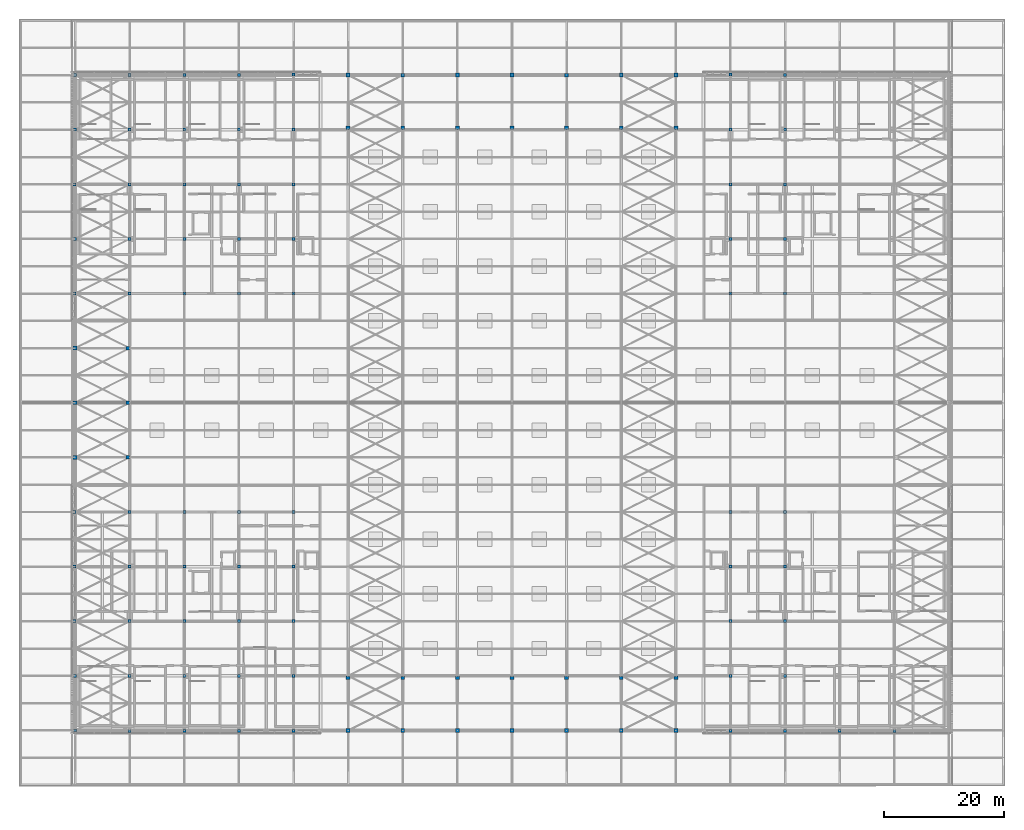
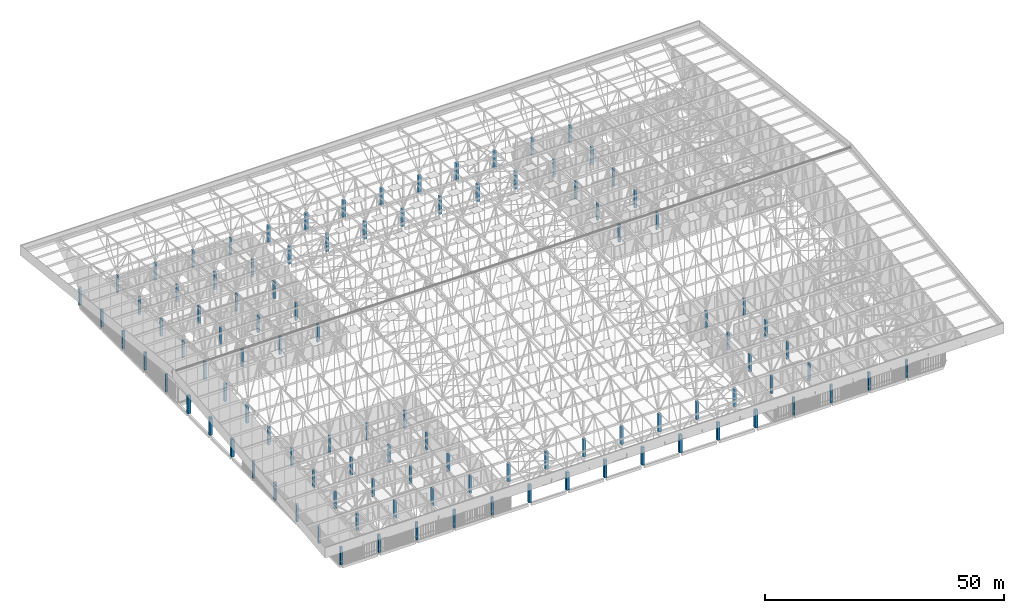
# One storey, part 1 of 500: 106 columns.
"""IFC4 building model written with IfcOpenShell, lengths in metres."""

from ifc_helpers import new_model, si_unit, direction, frame, origin, origin_2d, place, context, subcontext, project, spatial, rectangle, extrude, material, material_profile, profile_set, type_object, element, save


model = new_model("IFC4")

# Units and contexts
model_context = context("Model", 3, precision=1e-05, world=origin(), true_north=direction((0.0, 1.0)))
body_context = subcontext(model_context, "Body", "Model", "MODEL_VIEW")
ifc_project = project(units=[si_unit("LENGTHUNIT", "METRE"), si_unit("AREAUNIT", "SQUARE_METRE"), si_unit("VOLUMEUNIT", "CUBIC_METRE"), si_unit("PLANEANGLEUNIT", "RADIAN"), si_unit("MASSUNIT", "GRAM", prefix="KILO")], contexts=[model_context])

# Site, building, storey
site_placement = place(None, origin())
site = spatial("IfcSite", under=ifc_project, at=site_placement, CompositionType="ELEMENT")
building_placement = place(site_placement, origin())
building = spatial("IfcBuilding", under=site, at=building_placement, Name="Shirokan Park Arena", CompositionType="ELEMENT")
storey_placement = place(building_placement, frame((0.0, 0.0, 29.1201171875)))
storey = spatial("IfcBuildingStorey", under=building, at=storey_placement, Name="L06", CompositionType="ELEMENT", Elevation=29.1201171875)

# Columns
ifc_material = material(Name="Concrete C35", Category="concrete")
ifc_material_profile_1 = material_profile(ifc_material, rectangle(XDim=0.5, YDim=0.5, at=origin_2d()), Name="500x500")
ifc_profile_set_1 = profile_set([ifc_material_profile_1], Name="Concrete C35")
column_type_1 = type_object("IfcColumnType", Name="RC column 500x500", PredefinedType="COLUMN", material=ifc_profile_set_1)
for number, where, z_axis, x_axis, name in (
    (1, (0.0, 0.0, 0.0), (0.0, 0.0, 1.0), (1.0, 0.0, 0.0), "Column 1A L06"),
    (2, (-0.050048828125, 9.10009765625, 0.0), (0.0, 0.0, 1.0), (1.0, 0.0, 0.0), "Column 1B L06"),
    (3, (-0.125, 18.199951171875, 0.0), (0.0, 0.0, 1.0), (1.0, 0.0, 0.0), "Column 1C L06"),
    (4, (-0.125, 27.300048828125, 0.0), (0.0, 0.0, 1.0), (1.0, 0.0, 0.0), "Column 1D L06"),
    (5, (-0.10009765625, 36.39990234375, 0.0), (0.0, 0.0, 1.0), (1.0, 0.0, 0.0), "Column 1E L06"),
    (6, (-0.10009765625, 72.800048828125, 0.0), (0.0, 0.0, 1.0), (1.0, 0.0, 0.0), "Column 1J L06"),
    (7, (0.0, 81.89990234375, 0.0), (0.0, 0.0, 1.0), (1.0, 0.0, 0.0), "Column 1K L06"),
    (8, (-0.074951171875, 91.0, 0.0), (0.0, 0.0, 1.0), (1.0, 0.0, 0.0), "Column 1L L06"),
    (9, (-0.02490234375, 100.10009765625, 0.0), (0.0, 0.0, 1.0), (1.0, 0.0, 0.0), "Column 1M L06"),
    (10, (0.0, 109.199951171875, 0.0), (0.0, 0.0, 1.0), (1.0, 0.0, 0.0), "Column 1N L06"),
    (11, (9.10009765625, -0.050048828125, 0.0), (0.0, 0.0, 1.0), (1.0, 0.0, 0.0), "Column 2A L06"),
    (12, (9.10009765625, 9.10009765625, 0.0), (0.0, 0.0, 1.0), (1.0, 0.0, 0.0), "Column 2B L06"),
    (13, (9.10009765625, 18.199951171875, 0.0), (0.0, 0.0, 1.0), (1.0, 0.0, 0.0), "Column 2C L06"),
    (14, (9.10009765625, 27.300048828125, 0.0), (0.0, 0.0, 1.0), (1.0, 0.0, 0.0), "Column 2D L06"),
    (15, (9.10009765625, 36.39990234375, 0.0), (0.0, 0.0, 1.0), (1.0, 0.0, 0.0), "Column 2E L06"),
    (16, (9.10009765625, 72.800048828125, 0.0), (0.0, 0.0, 1.0), (1.0, 0.0, 0.0), "Column 2J L06"),
    (17, (9.10009765625, 81.89990234375, 0.0), (0.0, 0.0, 1.0), (1.0, 0.0, 0.0), "Column 2K L06"),
    (18, (9.10009765625, 91.0, 0.0), (0.0, 0.0, 1.0), (1.0, 0.0, 0.0), "Column 2L L06"),
    (19, (9.10009765625, 100.10009765625, 0.0), (0.0, 0.0, 1.0), (1.0, 0.0, 0.0), "Column 2M L06"),
    (20, (9.10009765625, 109.22509765625, 0.0), (0.0, 0.0, 1.0), (1.0, 0.0, 0.0), "Column 2N L06"),
    (21, (18.199951171875, -0.050048828125, 0.0), (0.0, 0.0, 1.0), (1.0, 0.0, 0.0), "Column 3A L06"),
    (22, (18.199951171875, 9.10009765625, 0.0), (0.0, 0.0, 1.0), (1.0, 0.0, 0.0), "Column 3B L06"),
    (23, (18.199951171875, 18.199951171875, 0.0), (0.0, 0.0, 1.0), (1.0, 0.0, 0.0), "Column 3C L06"),
    (24, (18.199951171875, 27.300048828125, 0.0), (0.0, 0.0, 1.0), (1.0, 0.0, 0.0), "Column 3D L06"),
    (25, (18.199951171875, 36.39990234375, 0.0), (0.0, 0.0, 1.0), (1.0, 0.0, 0.0), "Column 3E L06"),
    (26, (18.199951171875, 72.800048828125, 0.0), (0.0, 0.0, 1.0), (1.0, 0.0, 0.0), "Column 3J L06"),
    (27, (18.199951171875, 81.89990234375, 0.0), (0.0, 0.0, 1.0), (1.0, 0.0, 0.0), "Column 3K L06"),
    (28, (18.199951171875, 91.0, 0.0), (0.0, 0.0, 1.0), (1.0, 0.0, 0.0), "Column 3L L06"),
    (29, (18.199951171875, 100.10009765625, 0.0), (0.0, 0.0, 1.0), (1.0, 0.0, 0.0), "Column 3M L06"),
    (30, (18.199951171875, 109.22509765625, 0.0), (0.0, 0.0, 1.0), (1.0, 0.0, 0.0), "Column 3N L06"),
    (31, (27.300048828125, -0.10009765625, 0.0), (0.0, 0.0, 1.0), (1.0, 0.0, 0.0), "Column 4A L06"),
    (32, (27.300048828125, 9.10009765625, 0.0), (0.0, 0.0, 1.0), (1.0, 0.0, 0.0), "Column 4B L06"),
    (33, (27.300048828125, 18.199951171875, 0.0), (0.0, 0.0, 1.0), (1.0, 0.0, 0.0), "Column 4C L06"),
    (34, (27.300048828125, 27.300048828125, 0.0), (0.0, 0.0, 1.0), (1.0, 0.0, 0.0), "Column 4D L06"),
    (35, (27.300048828125, 36.39990234375, 0.0), (0.0, 0.0, 1.0), (1.0, 0.0, 0.0), "Column 4E L06"),
    (36, (27.300048828125, 72.800048828125, 0.0), (0.0, 0.0, 1.0), (1.0, 0.0, 0.0), "Column 4J L06"),
    (37, (27.300048828125, 81.89990234375, 0.0), (0.0, 0.0, 1.0), (1.0, 0.0, 0.0), "Column 4K L06"),
    (38, (27.300048828125, 91.0, 0.0), (0.0, 0.0, 1.0), (1.0, 0.0, 0.0), "Column 4L L06"),
    (39, (27.300048828125, 100.10009765625, 0.0), (0.0, 0.0, 1.0), (1.0, 0.0, 0.0), "Column 4M L06"),
    (40, (27.300048828125, 109.22509765625, 0.0), (0.0, 0.0, 1.0), (1.0, 0.0, 0.0), "Column 4N L06"),
    (41, (36.39990234375, -0.125, 0.0), (0.0, 0.0, 1.0), (1.0, 0.0, 0.0), "Column 5A L06"),
    (42, (36.39990234375, 9.10009765625, 0.0), (0.0, 0.0, 1.0), (1.0, 0.0, 0.0), "Column 5B L06"),
    (43, (36.39990234375, 18.199951171875, 0.0), (0.0, 0.0, 1.0), (1.0, 0.0, 0.0), "Column 5C L06"),
    (44, (36.39990234375, 27.300048828125, 0.0), (0.0, 0.0, 1.0), (1.0, 0.0, 0.0), "Column 5D L06"),
    (45, (36.39990234375, 36.39990234375, 0.0), (0.0, 0.0, 1.0), (1.0, 0.0, 0.0), "Column 5E L06"),
    (46, (36.39990234375, 72.800048828125, 0.0), (0.0, 0.0, 1.0), (1.0, 0.0, 0.0), "Column 5J L06"),
    (47, (36.39990234375, 81.89990234375, 0.0), (0.0, 0.0, 1.0), (1.0, 0.0, 0.0), "Column 5K L06"),
    (48, (36.39990234375, 91.0, 0.0), (0.0, 0.0, 1.0), (1.0, 0.0, 0.0), "Column 5L L06"),
    (49, (36.39990234375, 100.10009765625, 0.0), (0.0, 0.0, 1.0), (1.0, 0.0, 0.0), "Column 5M L06"),
    (50, (36.39990234375, 109.300048828125, 0.0), (0.0, 0.0, 1.0), (1.0, 0.0, 0.0), "Column 5N L06"),
    (51, (109.199951171875, -0.10009765625, 0.0), (0.0, 0.0, 1.0), (1.0, 0.0, 0.0), "Column 13A L06"),
    (52, (109.199951171875, 9.10009765625, 0.0), (0.0, 0.0, 1.0), (1.0, 0.0, 0.0), "Column 13B L06"),
    (53, (109.199951171875, 18.199951171875, 0.0), (0.0, 0.0, 1.0), (1.0, 0.0, 0.0), "Column 13C L06"),
    (54, (109.199951171875, 27.300048828125, 0.0), (0.0, 0.0, 1.0), (1.0, 0.0, 0.0), "Column 13D L06"),
    (55, (109.199951171875, 36.39990234375, 0.0), (0.0, 0.0, 1.0), (1.0, 0.0, 0.0), "Column 13E L06"),
    (56, (109.199951171875, 72.800048828125, 0.0), (0.0, 0.0, 1.0), (1.0, 0.0, 0.0), "Column 13J L06"),
    (57, (109.199951171875, 81.89990234375, 0.0), (0.0, 0.0, 1.0), (1.0, 0.0, 0.0), "Column 13K L06"),
    (58, (109.199951171875, 91.0, 0.0), (0.0, 0.0, 1.0), (1.0, 0.0, 0.0), "Column 13L L06"),
    (59, (109.199951171875, 100.10009765625, 0.0), (0.0, 0.0, 1.0), (1.0, 0.0, 0.0), "Column 13M L06"),
    (60, (109.199951171875, 109.27490234375, 0.0), (0.0, 0.0, 1.0), (1.0, 0.0, 0.0), "Column 13N L06"),
    (61, (118.300048828125, -0.050048828125, 0.0), (0.0, 0.0, 1.0), (1.0, 0.0, 0.0), "Column 14A L06"),
    (62, (118.300048828125, 9.10009765625, 0.0), (0.0, 0.0, 1.0), (1.0, 0.0, 0.0), "Column 14B L06"),
    (63, (118.300048828125, 18.199951171875, 0.0), (0.0, 0.0, 1.0), (1.0, 0.0, 0.0), "Column 14C L06"),
    (64, (118.300048828125, 27.300048828125, 0.0), (0.0, 0.0, 1.0), (1.0, 0.0, 0.0), "Column 14D L06"),
    (65, (118.300048828125, 36.39990234375, 0.0), (0.0, 0.0, 1.0), (1.0, 0.0, 0.0), "Column 14E L06"),
    (66, (118.300048828125, 72.800048828125, 0.0), (0.0, 0.0, 1.0), (1.0, 0.0, 0.0), "Column 14J L06"),
    (67, (118.300048828125, 81.89990234375, 0.0), (0.0, 0.0, 1.0), (1.0, 0.0, 0.0), "Column 14K L06"),
    (68, (118.300048828125, 91.0, 0.0), (0.0, 0.0, 1.0), (1.0, 0.0, 0.0), "Column 14L L06"),
    (69, (118.300048828125, 100.10009765625, 0.0), (0.0, 0.0, 1.0), (1.0, 0.0, 0.0), "Column 14M L06"),
    (70, (118.300048828125, 109.22509765625, 0.0), (0.0, 0.0, 1.0), (1.0, 0.0, 0.0), "Column 14N L06"),
    (71, (127.39990234375, -0.050048828125, 0.0), (0.0, 0.0, 1.0), (1.0, 0.0, 0.0), "Column 15A L06"),
    (72, (136.5, -0.050048828125, 0.0), (0.0, 0.0, 1.0), (1.0, 0.0, 0.0), "Column 16A L06"),
):
    element("IfcColumn", number, at=place(storey_placement, frame(where, z_axis=z_axis, x_axis=x_axis)), inside=storey, type_object=column_type_1, Name=name, PredefinedType="COLUMN", context=body_context, shape_type="SweptSolid", body=[
        extrude(rectangle(XDim=0.5, YDim=0.5, at=origin_2d()), origin(), (0.0, 0.0, 1.0), 4.5498046875),
    ])
ifc_material_profile_2 = material_profile(ifc_material, rectangle(XDim=0.60009765625, YDim=0.60009765625, at=origin_2d()), Name="600x600")
ifc_profile_set_2 = profile_set([ifc_material_profile_2], Name="Concrete C35")
column_type_2 = type_object("IfcColumnType", Name="RC column 600x600", PredefinedType="COLUMN", material=ifc_profile_set_2)
for number, where, z_axis, x_axis, name in (
    (73, (8.800048828125, 45.5, 0.0), (0.0, 0.0, 1.0), (1.0, 0.0, 0.0), "Column 2F L06"),
    (74, (8.800048828125, 54.60009765625, 0.0), (0.0, 0.0, 1.0), (1.0, 0.0, 0.0), "Column 2G L06"),
    (75, (8.800048828125, 63.699951171875, 0.0), (0.0, 0.0, 1.0), (1.0, 0.0, 0.0), "Column 2H L06"),
):
    element("IfcColumn", number, at=place(storey_placement, frame(where, z_axis=z_axis, x_axis=x_axis)), inside=storey, type_object=column_type_2, Name=name, PredefinedType="COLUMN", context=body_context, shape_type="SweptSolid", body=[
        extrude(rectangle(XDim=0.60009765625, YDim=0.60009765625, at=origin_2d()), origin(), (0.0, 0.0, 1.0), 4.5498046875),
    ])
ifc_material_profile_3 = material_profile(ifc_material, rectangle(XDim=0.64990234375, YDim=0.64990234375, at=origin_2d()), Name="650x650")
ifc_profile_set_3 = profile_set([ifc_material_profile_3], Name="Concrete C35")
column_type_3 = type_object("IfcColumnType", Name="RC column 650x650", PredefinedType="COLUMN", material=ifc_profile_set_3)
for number, where, z_axis, x_axis, name in (
    (76, (0.0, 45.5, 0.0), (0.0, 0.0, 1.0), (1.0, 0.0, 0.0), "Column 1F L06"),
    (77, (0.0, 54.60009765625, 0.0), (0.0, 0.0, 1.0), (1.0, 0.0, 0.0), "Column 1G L06"),
    (78, (0.0, 63.699951171875, 0.0), (0.0, 0.0, 1.0), (1.0, 0.0, 0.0), "Column 1H L06"),
    (79, (45.5, -0.02490234375, 0.0), (0.0, 0.0, 1.0), (1.0, 0.0, 0.0), "Column 6A L06"),
    (80, (45.5, 8.77490234375, 0.0), (0.0, 0.0, 1.0), (1.0, 0.0, 0.0), "Column 6B L06"),
    (81, (45.5, 100.425048828125, 0.0), (0.0, 0.0, 1.0), (1.0, 0.0, 0.0), "Column 6M L06"),
    (82, (45.5, 109.199951171875, 0.0), (0.0, 0.0, 1.0), (1.0, 0.0, 0.0), "Column 6N L06"),
    (83, (54.60009765625, 0.0, 0.0), (0.0, 0.0, 1.0), (1.0, 0.0, 0.0), "Column 7A L06"),
    (84, (54.60009765625, 8.77490234375, 0.0), (0.0, 0.0, 1.0), (1.0, 0.0, 0.0), "Column 7B L06"),
    (85, (54.60009765625, 100.425048828125, 0.0), (0.0, 0.0, 1.0), (1.0, 0.0, 0.0), "Column 7M L06"),
    (86, (54.60009765625, 109.175048828125, 0.0), (0.0, 0.0, 1.0), (1.0, 0.0, 0.0), "Column 7N L06"),
    (87, (63.699951171875, -0.02490234375, 0.0), (0.0, 0.0, 1.0), (1.0, 0.0, 0.0), "Column 8A L06"),
    (88, (63.699951171875, 8.77490234375, 0.0), (0.0, 0.0, 1.0), (1.0, 0.0, 0.0), "Column 8B L06"),
    (89, (63.699951171875, 100.425048828125, 0.0), (0.0, 0.0, 1.0), (1.0, 0.0, 0.0), "Column 8M L06"),
    (90, (63.699951171875, 109.199951171875, 0.0), (0.0, 0.0, 1.0), (1.0, 0.0, 0.0), "Column 8N L06"),
    (91, (72.800048828125, -0.02490234375, 0.0), (0.0, 0.0, 1.0), (1.0, 0.0, 0.0), "Column 9A L06"),
    (92, (72.800048828125, 8.77490234375, 0.0), (0.0, 0.0, 1.0), (1.0, 0.0, 0.0), "Column 9B L06"),
    (93, (72.800048828125, 100.425048828125, 0.0), (0.0, 0.0, 1.0), (1.0, 0.0, 0.0), "Column 9M L06"),
    (94, (72.800048828125, 109.199951171875, 0.0), (0.0, 0.0, 1.0), (1.0, 0.0, 0.0), "Column 9N L06"),
    (95, (81.89990234375, 0.0, 0.0), (0.0, 0.0, 1.0), (1.0, 0.0, 0.0), "Column 10A L06"),
    (96, (81.89990234375, 8.77490234375, 0.0), (0.0, 0.0, 1.0), (1.0, 0.0, 0.0), "Column 10B L06"),
    (97, (81.89990234375, 100.425048828125, 0.0), (0.0, 0.0, 1.0), (1.0, 0.0, 0.0), "Column 10M L06"),
    (98, (81.89990234375, 109.175048828125, 0.0), (0.0, 0.0, 1.0), (1.0, 0.0, 0.0), "Column 10N L06"),
    (99, (91.0, -0.02490234375, 0.0), (0.0, 0.0, 1.0), (1.0, 0.0, 0.0), "Column 11A L06"),
    (100, (91.0, 8.77490234375, 0.0), (0.0, 0.0, 1.0), (1.0, 0.0, 0.0), "Column 11B L06"),
    (101, (91.0, 100.425048828125, 0.0), (0.0, 0.0, 1.0), (1.0, 0.0, 0.0), "Column 11M L06"),
    (102, (91.0, 109.199951171875, 0.0), (0.0, 0.0, 1.0), (1.0, 0.0, 0.0), "Column 11N L06"),
    (103, (100.10009765625, -0.02490234375, 0.0), (0.0, 0.0, 1.0), (1.0, 0.0, 0.0), "Column 12A L06"),
    (104, (100.10009765625, 8.77490234375, 0.0), (0.0, 0.0, 1.0), (1.0, 0.0, 0.0), "Column 12B L06"),
    (105, (100.10009765625, 100.425048828125, 0.0), (0.0, 0.0, 1.0), (1.0, 0.0, 0.0), "Column 12M L06"),
    (106, (100.10009765625, 109.199951171875, 0.0), (0.0, 0.0, 1.0), (1.0, 0.0, 0.0), "Column 12N L06"),
):
    element("IfcColumn", number, at=place(storey_placement, frame(where, z_axis=z_axis, x_axis=x_axis)), inside=storey, type_object=column_type_3, Name=name, PredefinedType="COLUMN", context=body_context, shape_type="SweptSolid", body=[
        extrude(rectangle(XDim=0.64990234375, YDim=0.64990234375, at=origin_2d()), origin(), (0.0, 0.0, 1.0), 4.5498046875),
    ])

save(model, "model.ifc")
